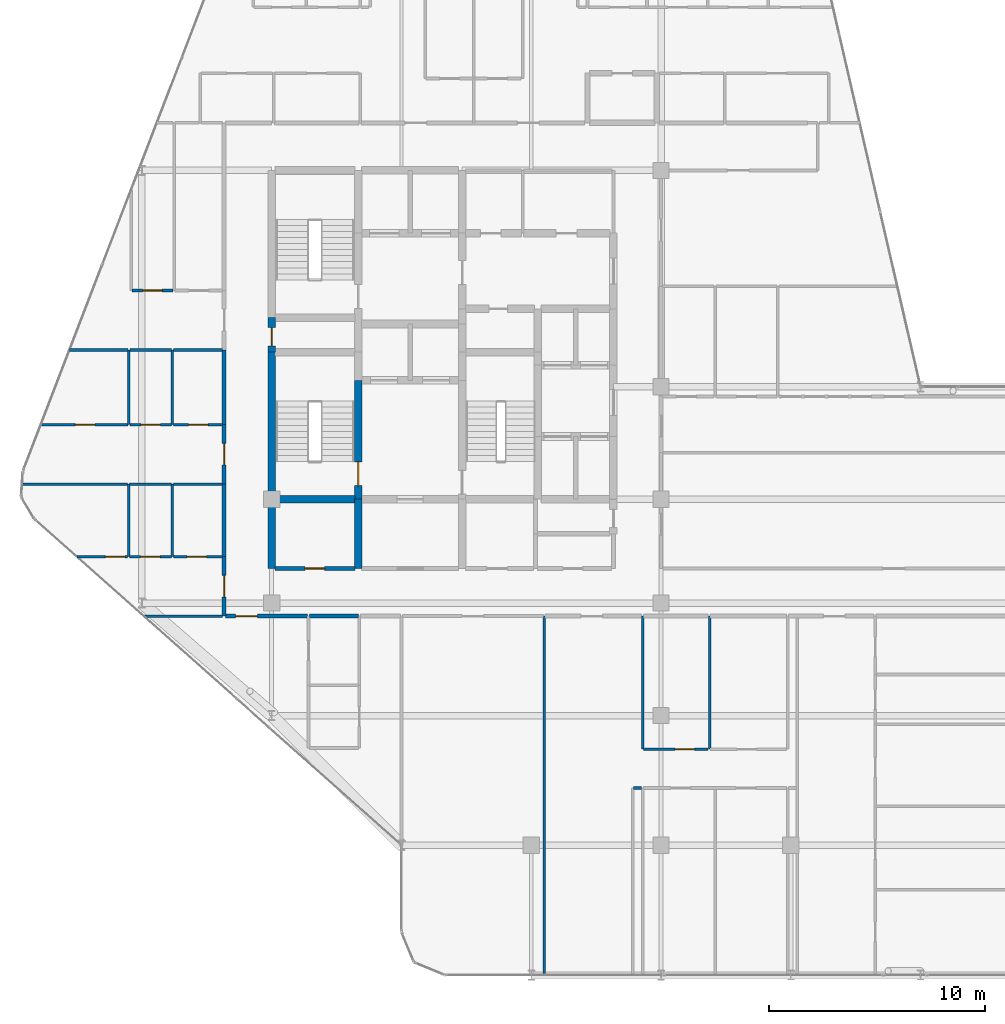
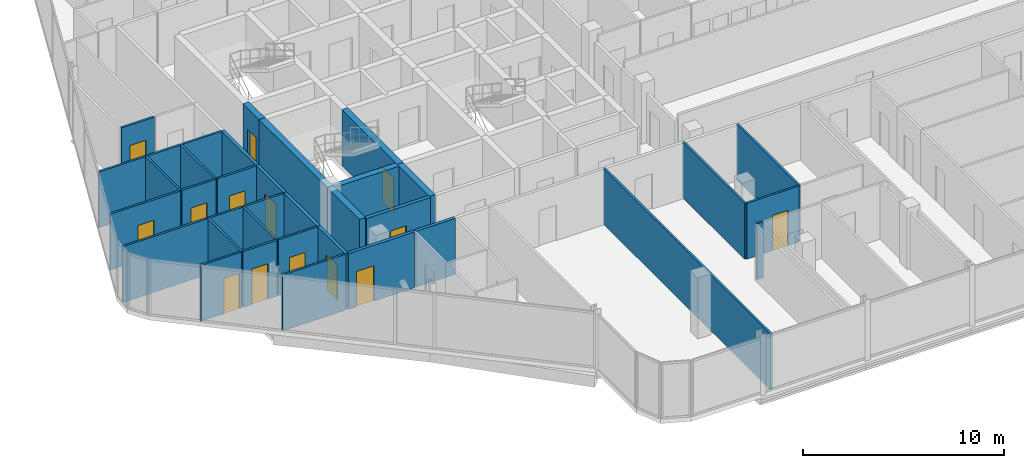
# One storey, part 23 of 29: 36 walls, 14 doors, 14 openings.
"""IFC4 building model written with IfcOpenShell, lengths in metres."""

from ifc_helpers import new_model, si_unit, direction, frame, frame_2d, origin, place, context, subcontext, project, spatial, rectangle, extrude, material, layer, layer_set, type_object, element, fill, save


model = new_model("IFC4")

# Units and contexts
model_context = context("Model", 3, precision=1e-05, world=origin(), true_north=direction((0.0, 1.0)))
body_context = subcontext(model_context, "Body", "Model", "MODEL_VIEW")
ifc_project = project(units=[si_unit("LENGTHUNIT", "METRE"), si_unit("AREAUNIT", "SQUARE_METRE"), si_unit("VOLUMEUNIT", "CUBIC_METRE"), si_unit("PLANEANGLEUNIT", "RADIAN"), si_unit("MASSUNIT", "GRAM", prefix="KILO")], contexts=[model_context])

# Site, building, storey
site_placement = place(None, origin())
site = spatial("IfcSite", under=ifc_project, at=site_placement, CompositionType="ELEMENT")
building_placement = place(site_placement, origin())
building = spatial("IfcBuilding", under=site, at=building_placement, Name="Keshet Zoharim Tower", CompositionType="ELEMENT")
storey_placement = place(building_placement, frame((0.0, 0.0, 206.89990234375)))
storey = spatial("IfcBuildingStorey", under=building, at=storey_placement, Name="L51", CompositionType="ELEMENT", Elevation=206.89990234375)

# Walls
ifc_material_1 = material(Name="Concrete C60/75", Category="concrete")
ifc_layer_1 = layer(ifc_material_1, 0.35009765625)
ifc_layer_set_1 = layer_set([ifc_layer_1], Name="Concrete C60/75")
wall_type_1 = type_object("IfcWallType", Name="WL-CORE-350", PredefinedType="SHEAR", material=ifc_layer_set_1)
wall_1_placement = place(storey_placement, frame((15.0, 19.5, 0.0), z_axis=(0.0, 0.0, 1.0), x_axis=(0.0, 1.0, 0.0)))
element("IfcWall", 1, at=wall_1_placement, inside=storey, type_object=wall_type_1, Name="L51 Core Shear Wall 015", PredefinedType="SHEAR", context=body_context, shape_type="SweptSolid", body=[
    extrude(rectangle(XDim=3.199951171875, YDim=0.35009765625, at=frame_2d((1.60009765625, 0.0))), origin(), (0.0, 0.0, 1.0), 3.39013671875),
])
wall_2_placement = place(storey_placement, frame((15.0, 22.699951171875, 0.0), z_axis=(0.0, 0.0, 1.0), x_axis=(0.0, 1.0, 0.0)))
element("IfcWall", 2, at=wall_2_placement, inside=storey, type_object=wall_type_1, Name="L51 Core Shear Wall 016", PredefinedType="SHEAR", context=body_context, shape_type="SweptSolid", body=[
    extrude(rectangle(XDim=6.800048828125, YDim=0.35009765625, at=frame_2d((3.39990234375, 0.0))), origin(), (0.0, 0.0, 1.0), 3.39013671875),
])

# Wall, opening, door
wall_3_placement = place(storey_placement, frame((15.0, 29.5, 0.0), z_axis=(0.0, 0.0, 1.0), x_axis=(0.0, 1.0, 0.0)))
wall_3 = element("IfcWall", 3, at=wall_3_placement, inside=storey, type_object=wall_type_1, Name="L51 Core Shear Wall 017", PredefinedType="SHEAR", context=body_context, shape_type="SweptSolid", body=[
    extrude(rectangle(XDim=1.60009765625, YDim=0.35009765625, at=frame_2d((0.800048828125, 0.0))), origin(), (0.0, 0.0, 1.0), 3.39013671875),
])
opening_1_placement = place(wall_3_placement, frame((0.287109375, 0.0, 0.0)))
opening_1 = element("IfcOpeningElement", 4, at=opening_1_placement, cuts=wall_3, Name="Opening D-RS85", PredefinedType="OPENING", context=body_context, shape_type="SweptSolid", body=[
    extrude(rectangle(XDim=0.85009765625, YDim=2.10009765625, at=frame_2d((0.425048828125, 1.050048828125))), frame((0.0, 0.18505859375, 0.0), z_axis=(0.0, -1.0, 0.0), x_axis=(1.0, 0.0, 0.0)), (0.0, 0.0, 1.0), 0.3701171875),
])
ifc_material_2 = material(Name="Hardwood Timber", Category="wood")
door_type_1 = type_object("IfcDoorType", Name="DR-RIS-085", OperationType="NOTDEFINED", PredefinedType="DOOR", material=ifc_material_2)
door_1_placement = place(opening_1_placement, origin())
door_1 = element("IfcDoor", 5, at=door_1_placement, inside=storey, type_object=door_type_1, Name="L51 Electrical Riser Access Cupboard Door", OperationType="SINGLE_SWING_RIGHT", OverallHeight=2.10009765625, OverallWidth=0.85009765625, PredefinedType="DOOR", context=body_context, shape_type="SweptSolid", body=[
    extrude(rectangle(XDim=0.85009765625, YDim=2.10009765625, at=frame_2d((0.425048828125, 1.050048828125))), frame((0.0, 0.02490234375, 0.0), z_axis=(0.0, -1.0, 0.0), x_axis=(1.0, 0.0, 0.0)), (0.0, 0.0, 1.0), 0.050048828125),
])
fill(opening_1, door_1)

# Wall
wall_4_placement = place(storey_placement, frame((19.0, 19.5, 0.0), z_axis=(0.0, 0.0, 1.0), x_axis=(0.0, 1.0, 0.0)))
element("IfcWall", 6, at=wall_4_placement, inside=storey, type_object=wall_type_1, Name="L51 Core Shear Wall 023", PredefinedType="SHEAR", context=body_context, shape_type="SweptSolid", body=[
    extrude(rectangle(XDim=3.199951171875, YDim=0.35009765625, at=frame_2d((1.60009765625, 0.0))), origin(), (0.0, 0.0, 1.0), 3.39013671875),
])

# Wall, opening, door
wall_5_placement = place(storey_placement, frame((19.0, 22.699951171875, 0.0), z_axis=(0.0, 0.0, 1.0), x_axis=(0.0, 1.0, 0.0)))
wall_5 = element("IfcWall", 7, at=wall_5_placement, inside=storey, type_object=wall_type_1, Name="L51 Core Shear Wall 024", PredefinedType="SHEAR", context=body_context, shape_type="SweptSolid", body=[
    extrude(rectangle(XDim=5.5, YDim=0.35009765625, at=frame_2d((2.75, 0.0))), origin(), (0.0, 0.0, 1.0), 3.39013671875),
])
opening_2_placement = place(wall_5_placement, frame((0.631103515625, 0.0, 0.0)))
opening_2 = element("IfcOpeningElement", 8, at=opening_2_placement, cuts=wall_5, Name="Opening D-F611", PredefinedType="OPENING", context=body_context, shape_type="SweptSolid", body=[
    extrude(rectangle(XDim=1.10009765625, YDim=2.14990234375, at=frame_2d((0.550048828125, 1.074951171875))), frame((0.0, 0.18505859375, 0.0), z_axis=(0.0, -1.0, 0.0), x_axis=(1.0, 0.0, 0.0)), (0.0, 0.0, 1.0), 0.3701171875),
])
door_type_2 = type_object("IfcDoorType", Name="DR-FD60-110", OperationType="NOTDEFINED", PredefinedType="DOOR", material=ifc_material_2)
door_2_placement = place(opening_2_placement, origin())
door_2 = element("IfcDoor", 9, at=door_2_placement, inside=storey, type_object=door_type_2, Name="L51 Exit Stair ST-01 Fire Door", OperationType="SINGLE_SWING_RIGHT", OverallHeight=2.14990234375, OverallWidth=1.10009765625, PredefinedType="DOOR", context=body_context, shape_type="SweptSolid", body=[
    extrude(rectangle(XDim=1.10009765625, YDim=2.14990234375, at=frame_2d((0.550048828125, 1.074951171875))), frame((0.0, 0.02490234375, 0.0), z_axis=(0.0, -1.0, 0.0), x_axis=(1.0, 0.0, 0.0)), (0.0, 0.0, 1.0), 0.050048828125),
])
fill(opening_2, door_2)

# Wall
wall_6_placement = place(storey_placement, frame((15.159912109375, 22.699951171875, 0.0), z_axis=(0.0, 0.0, 1.0), x_axis=(1.0, 0.0, 0.0)))
element("IfcWall", 10, at=wall_6_placement, inside=storey, type_object=wall_type_1, Name="L51 Core Shear Wall 134", PredefinedType="SHEAR", context=body_context, shape_type="SweptSolid", body=[
    extrude(rectangle(XDim=3.68017578125, YDim=0.35009765625, at=frame_2d((1.840087890625, 0.0))), origin(), (0.0, 0.0, 1.0), 3.39013671875),
])

# Wall, opening, door
ifc_material_3 = material(Name="Gypsum Plasterboard", Category="gypsum")
ifc_layer_2 = layer(ifc_material_3, 0.179931640625)
ifc_layer_set_2 = layer_set([ifc_layer_2], Name="Gypsum Plasterboard")
wall_type_2 = type_object("IfcWallType", Name="WL-CORR-180", PredefinedType="STANDARD", material=ifc_layer_set_2)
wall_7_placement = place(storey_placement, frame((12.800048828125, 17.300048828125, 0.0), z_axis=(0.0, 0.0, 1.0), x_axis=(0.0, 1.0, 0.0)))
wall_7 = element("IfcWall", 11, at=wall_7_placement, inside=storey, type_object=wall_type_2, Name="L51 Interior Wall 008", PredefinedType="STANDARD", context=body_context, shape_type="SweptSolid", body=[
    extrude(rectangle(XDim=2.75, YDim=0.179931640625, at=frame_2d((1.375, 0.0))), origin(), (0.0, 0.0, 1.0), 3.39013671875),
])
opening_3_placement = place(wall_7_placement, frame((0.875, 0.0, 0.0)))
opening_3 = element("IfcOpeningElement", 12, at=opening_3_placement, cuts=wall_7, Name="Opening D-F310", PredefinedType="OPENING", context=body_context, shape_type="SweptSolid", body=[
    extrude(rectangle(XDim=1.0, YDim=2.14990234375, at=frame_2d((0.5, 1.074951171875))), frame((0.0, 0.10009765625, 0.0), z_axis=(0.0, -1.0, 0.0), x_axis=(1.0, 0.0, 0.0)), (0.0, 0.0, 1.0), 0.199951171875),
])
door_type_3 = type_object("IfcDoorType", Name="DR-FD30-100", OperationType="NOTDEFINED", PredefinedType="DOOR", material=ifc_material_2)
door_3_placement = place(opening_3_placement, origin())
door_3 = element("IfcDoor", 13, at=door_3_placement, inside=storey, type_object=door_type_3, Name="Apartment 5107 Entrance Door", OperationType="SINGLE_SWING_LEFT", OverallHeight=2.14990234375, OverallWidth=1.0, PredefinedType="DOOR", context=body_context, shape_type="SweptSolid", body=[
    extrude(rectangle(XDim=1.0, YDim=2.14990234375, at=frame_2d((0.5, 1.074951171875))), frame((0.0, 0.02490234375, 0.0), z_axis=(0.0, -1.0, 0.0), x_axis=(1.0, 0.0, 0.0)), (0.0, 0.0, 1.0), 0.050048828125),
])
fill(opening_3, door_3)

# Wall
wall_8_placement = place(storey_placement, frame((12.800048828125, 20.050048828125, 0.0), z_axis=(0.0, 0.0, 1.0), x_axis=(0.0, 1.0, 0.0)))
element("IfcWall", 14, at=wall_8_placement, inside=storey, type_object=wall_type_2, Name="L51 Interior Wall 009", PredefinedType="STANDARD", context=body_context, shape_type="SweptSolid", body=[
    extrude(rectangle(XDim=3.35986328125, YDim=0.179931640625, at=frame_2d((1.679931640625, 0.0))), origin(), (0.0, 0.0, 1.0), 3.39013671875),
])

# Wall, opening, door
wall_9_placement = place(storey_placement, frame((12.800048828125, 23.409912109375, 0.0), z_axis=(0.0, 0.0, 1.0), x_axis=(0.0, 1.0, 0.0)))
wall_9 = element("IfcWall", 15, at=wall_9_placement, inside=storey, type_object=wall_type_2, Name="L51 Interior Wall 010", PredefinedType="STANDARD", context=body_context, shape_type="SweptSolid", body=[
    extrude(rectangle(XDim=2.75, YDim=0.179931640625, at=frame_2d((1.375, 0.0))), origin(), (0.0, 0.0, 1.0), 3.39013671875),
])
opening_4_placement = place(wall_9_placement, frame((0.875, 0.0, 0.0)))
opening_4 = element("IfcOpeningElement", 16, at=opening_4_placement, cuts=wall_9, Name="Opening D-F310", PredefinedType="OPENING", context=body_context, shape_type="SweptSolid", body=[
    extrude(rectangle(XDim=1.0, YDim=2.14990234375, at=frame_2d((0.5, 1.074951171875))), frame((0.0, 0.10009765625, 0.0), z_axis=(0.0, -1.0, 0.0), x_axis=(1.0, 0.0, 0.0)), (0.0, 0.0, 1.0), 0.199951171875),
])
door_4_placement = place(opening_4_placement, origin())
door_4 = element("IfcDoor", 17, at=door_4_placement, inside=storey, type_object=door_type_3, Name="Apartment 5108 Entrance Door", OperationType="SINGLE_SWING_RIGHT", OverallHeight=2.14990234375, OverallWidth=1.0, PredefinedType="DOOR", context=body_context, shape_type="SweptSolid", body=[
    extrude(rectangle(XDim=1.0, YDim=2.14990234375, at=frame_2d((0.5, 1.074951171875))), frame((0.0, 0.02490234375, 0.0), z_axis=(0.0, -1.0, 0.0), x_axis=(1.0, 0.0, 0.0)), (0.0, 0.0, 1.0), 0.050048828125),
])
fill(opening_4, door_4)

# Wall
wall_10_placement = place(storey_placement, frame((12.800048828125, 26.159912109375, 0.0), z_axis=(0.0, 0.0, 1.0), x_axis=(0.0, 1.0, 0.0)))
element("IfcWall", 18, at=wall_10_placement, inside=storey, type_object=wall_type_2, Name="L51 Interior Wall 011", PredefinedType="STANDARD", context=body_context, shape_type="SweptSolid", body=[
    extrude(rectangle(XDim=3.4501953125, YDim=0.179931640625, at=frame_2d((1.72509765625, 0.0))), origin(), (0.0, 0.0, 1.0), 3.39013671875),
])

# Wall, opening, door
wall_11_placement = place(storey_placement, frame((12.875, 17.300048828125, 0.0), z_axis=(0.0, 0.0, 1.0), x_axis=(1.0, 0.0, 0.0)))
wall_11 = element("IfcWall", 19, at=wall_11_placement, inside=storey, type_object=wall_type_2, Name="L51 Interior Wall 113", PredefinedType="STANDARD", context=body_context, shape_type="SweptSolid", body=[
    extrude(rectangle(XDim=3.780029296875, YDim=0.179931640625, at=frame_2d((1.89013671875, 0.0))), origin(), (0.0, 0.0, 1.0), 3.39013671875),
])
opening_5_placement = place(wall_11_placement, frame((0.4580078125, 0.0, 0.0)))
opening_5 = element("IfcOpeningElement", 20, at=opening_5_placement, cuts=wall_11, Name="Opening D-F310", PredefinedType="OPENING", context=body_context, shape_type="SweptSolid", body=[
    extrude(rectangle(XDim=1.0, YDim=2.14990234375, at=frame_2d((0.5, 1.074951171875))), frame((0.0, 0.10009765625, 0.0), z_axis=(0.0, -1.0, 0.0), x_axis=(1.0, 0.0, 0.0)), (0.0, 0.0, 1.0), 0.199951171875),
])
door_5_placement = place(opening_5_placement, origin())
door_5 = element("IfcDoor", 21, at=door_5_placement, inside=storey, type_object=door_type_3, Name="Apartment 5101 Entrance Door", OperationType="SINGLE_SWING_RIGHT", OverallHeight=2.14990234375, OverallWidth=1.0, PredefinedType="DOOR", context=body_context, shape_type="SweptSolid", body=[
    extrude(rectangle(XDim=1.0, YDim=2.14990234375, at=frame_2d((0.5, 1.074951171875))), frame((0.0, 0.02490234375, 0.0), z_axis=(0.0, -1.0, 0.0), x_axis=(1.0, 0.0, 0.0)), (0.0, 0.0, 1.0), 0.050048828125),
])
fill(opening_5, door_5)

# Wall
wall_12_placement = place(storey_placement, frame((16.7451171875, 17.300048828125, 0.0), z_axis=(0.0, 0.0, 1.0), x_axis=(1.0, 0.0, 0.0)))
element("IfcWall", 22, at=wall_12_placement, inside=storey, type_object=wall_type_2, Name="L51 Interior Wall 114", PredefinedType="STANDARD", context=body_context, shape_type="SweptSolid", body=[
    extrude(rectangle(XDim=2.259765625, YDim=0.179931640625, at=frame_2d((1.1298828125, 0.0))), origin(), (0.0, 0.0, 1.0), 3.39013671875),
])

# Wall, opening, door
ifc_material_4 = material(Name="Concrete C50/60", Category="concrete")
ifc_layer_3 = layer(ifc_material_4, 0.199951171875)
ifc_layer_set_3 = layer_set([ifc_layer_3], Name="Concrete C50/60")
wall_type_3 = type_object("IfcWallType", Name="WL-FIRE-200", PredefinedType="STANDARD", material=ifc_layer_set_3)
wall_13_placement = place(storey_placement, frame((15.159912109375, 19.5, 0.0), z_axis=(0.0, 0.0, 1.0), x_axis=(1.0, 0.0, 0.0)))
wall_13 = element("IfcWall", 23, at=wall_13_placement, inside=storey, type_object=wall_type_3, Name="L51 Interior Wall 125", PredefinedType="STANDARD", context=body_context, shape_type="SweptSolid", body=[
    extrude(rectangle(XDim=3.68017578125, YDim=0.199951171875, at=frame_2d((1.840087890625, 0.0))), origin(), (0.0, 0.0, 1.0), 3.39013671875),
])
opening_6_placement = place(wall_13_placement, frame((1.389892578125, 0.0, 0.0)))
opening_6 = element("IfcOpeningElement", 24, at=opening_6_placement, cuts=wall_13, Name="Opening D-F690", PredefinedType="OPENING", context=body_context, shape_type="SweptSolid", body=[
    extrude(rectangle(XDim=0.89990234375, YDim=2.14990234375, at=frame_2d((0.449951171875, 1.074951171875))), frame((0.0, 0.10986328125, 0.0), z_axis=(0.0, -1.0, 0.0), x_axis=(1.0, 0.0, 0.0)), (0.0, 0.0, 1.0), 0.219970703125),
])
door_type_4 = type_object("IfcDoorType", Name="DR-FD60-090", OperationType="NOTDEFINED", PredefinedType="DOOR", material=ifc_material_2)
door_6_placement = place(opening_6_placement, origin())
door_6 = element("IfcDoor", 25, at=door_6_placement, inside=storey, type_object=door_type_4, Name="L51 Refuse Store Door", OperationType="SINGLE_SWING_LEFT", OverallHeight=2.14990234375, OverallWidth=0.89990234375, PredefinedType="DOOR", context=body_context, shape_type="SweptSolid", body=[
    extrude(rectangle(XDim=0.89990234375, YDim=2.14990234375, at=frame_2d((0.449951171875, 1.074951171875))), frame((0.0, 0.02490234375, 0.0), z_axis=(0.0, -1.0, 0.0), x_axis=(1.0, 0.0, 0.0)), (0.0, 0.0, 1.0), 0.050048828125),
])
fill(opening_6, door_6)

# Walls
ifc_layer_4 = layer(ifc_material_3, 0.1201171875)
ifc_layer_set_4 = layer_set([ifc_layer_4], Name="Gypsum Plasterboard")
wall_type_4 = type_object("IfcWallType", Name="WL-PART-120", PredefinedType="PARTITIONING", material=ifc_layer_set_4)
wall_14_placement = place(storey_placement, frame((8.39990234375, 20.050048828125, 0.0), z_axis=(0.0, 0.0, 1.0), x_axis=(0.0, 1.0, 0.0)))
element("IfcWall", 26, at=wall_14_placement, inside=storey, type_object=wall_type_4, Name="L51 Interior Wall 001", PredefinedType="PARTITIONING", context=body_context, shape_type="SweptSolid", body=[
    extrude(rectangle(XDim=3.35986328125, YDim=0.1201171875, at=frame_2d((1.679931640625, 0.0))), origin(), (0.0, 0.0, 1.0), 3.39013671875),
])
wall_15_placement = place(storey_placement, frame((8.39990234375, 26.159912109375, 0.0), z_axis=(0.0, 0.0, 1.0), x_axis=(0.0, 1.0, 0.0)))
element("IfcWall", 27, at=wall_15_placement, inside=storey, type_object=wall_type_4, Name="L51 Interior Wall 002", PredefinedType="PARTITIONING", context=body_context, shape_type="SweptSolid", body=[
    extrude(rectangle(XDim=3.4501953125, YDim=0.1201171875, at=frame_2d((1.72509765625, 0.0))), origin(), (0.0, 0.0, 1.0), 3.39013671875),
])
wall_16_placement = place(storey_placement, frame((27.60009765625, 0.7099609375, 0.0), z_axis=(0.0, 0.0, 1.0), x_axis=(0.0, 1.0, 0.0)))
element("IfcWall", 28, at=wall_16_placement, inside=storey, type_object=wall_type_4, Name="L51 Interior Wall 054", PredefinedType="PARTITIONING", context=body_context, shape_type="SweptSolid", body=[
    extrude(rectangle(XDim=16.590087890625, YDim=0.1201171875, at=frame_2d((8.294921875, 0.0))), origin(), (0.0, 0.0, 1.0), 3.39013671875),
])
wall_17_placement = place(storey_placement, frame((32.14990234375, 11.14990234375, 0.0), z_axis=(0.0, 0.0, 1.0), x_axis=(0.0, 1.0, 0.0)))
element("IfcWall", 29, at=wall_17_placement, inside=storey, type_object=wall_type_4, Name="L51 Interior Wall 069", PredefinedType="PARTITIONING", context=body_context, shape_type="SweptSolid", body=[
    extrude(rectangle(XDim=6.150146484375, YDim=0.1201171875, at=frame_2d((3.0751953125, 0.0))), origin(), (0.0, 0.0, 1.0), 3.39013671875),
])
wall_18_placement = place(storey_placement, frame((31.735107421875, 9.35009765625, 0.0), z_axis=(0.0, 0.0, 1.0), x_axis=(1.0, 0.0, 0.0)))
element("IfcWall", 30, at=wall_18_placement, inside=storey, type_object=wall_type_4, Name="L51 Interior Wall 101", PredefinedType="PARTITIONING", context=body_context, shape_type="SweptSolid", body=[
    extrude(rectangle(XDim=0.35986328125, YDim=0.1201171875, at=frame_2d((0.179931640625, 0.0))), origin(), (0.0, 0.0, 1.0), 3.39013671875),
])

# Wall, opening, door
wall_19_placement = place(storey_placement, frame((32.18505859375, 11.14990234375, 0.0), z_axis=(0.0, 0.0, 1.0), x_axis=(1.0, 0.0, 0.0)))
wall_19 = element("IfcWall", 31, at=wall_19_placement, inside=storey, type_object=wall_type_4, Name="L51 Interior Wall 104", PredefinedType="PARTITIONING", context=body_context, shape_type="SweptSolid", body=[
    extrude(rectangle(XDim=2.996826171875, YDim=0.1201171875, at=frame_2d((1.49853515625, 0.0))), origin(), (0.0, 0.0, 1.0), 3.39013671875),
])
opening_7_placement = place(wall_19_placement, frame((1.469970703125, 0.0, 0.0)))
opening_7 = element("IfcOpeningElement", 32, at=opening_7_placement, cuts=wall_19, Name="Opening D-IN90", PredefinedType="OPENING", context=body_context, shape_type="SweptSolid", body=[
    extrude(rectangle(XDim=0.89990234375, YDim=2.14990234375, at=frame_2d((0.449951171875, 1.074951171875))), frame((0.0, 0.070068359375, 0.0), z_axis=(0.0, -1.0, 0.0), x_axis=(1.0, 0.0, 0.0)), (0.0, 0.0, 1.0), 0.14013671875),
])
door_type_5 = type_object("IfcDoorType", Name="DR-INT-090", OperationType="NOTDEFINED", PredefinedType="DOOR", material=ifc_material_2)
door_7_placement = place(opening_7_placement, origin())
door_7 = element("IfcDoor", 33, at=door_7_placement, inside=storey, type_object=door_type_5, Name="Apartment 5102 Kitchen Door", OperationType="SINGLE_SWING_RIGHT", OverallHeight=2.14990234375, OverallWidth=0.89990234375, PredefinedType="DOOR", context=body_context, shape_type="SweptSolid", body=[
    extrude(rectangle(XDim=0.89990234375, YDim=2.14990234375, at=frame_2d((0.449951171875, 1.074951171875))), frame((0.0, 0.02490234375, 0.0), z_axis=(0.0, -1.0, 0.0), x_axis=(1.0, 0.0, 0.0)), (0.0, 0.0, 1.0), 0.050048828125),
])
fill(opening_7, door_7)

# Wall
wall_20_placement = place(storey_placement, frame((9.0849609375, 17.300048828125, 0.0), z_axis=(0.0, 0.0, 1.0), x_axis=(1.0, 0.0, 0.0)))
element("IfcWall", 34, at=wall_20_placement, inside=storey, type_object=wall_type_4, Name="L51 Interior Wall 112", PredefinedType="PARTITIONING", context=body_context, shape_type="SweptSolid", body=[
    extrude(rectangle(XDim=3.64013671875, YDim=0.1201171875, at=frame_2d((1.820068359375, 0.0))), origin(), (0.0, 0.0, 1.0), 3.39013671875),
])

# Wall, opening, door
wall_21_placement = place(storey_placement, frame((5.990966796875, 20.050048828125, 0.0), z_axis=(0.0, 0.0, 1.0), x_axis=(1.0, 0.0, 0.0)))
wall_21 = element("IfcWall", 35, at=wall_21_placement, inside=storey, type_object=wall_type_4, Name="L51 Interior Wall 130", PredefinedType="PARTITIONING", context=body_context, shape_type="SweptSolid", body=[
    extrude(rectangle(XDim=2.340087890625, YDim=0.1201171875, at=frame_2d((1.169921875, 0.0))), origin(), (0.0, 0.0, 1.0), 3.39013671875),
])
opening_8_placement = place(wall_21_placement, frame((1.320068359375, 0.0, 0.0)))
opening_8 = element("IfcOpeningElement", 36, at=opening_8_placement, cuts=wall_21, Name="Opening D-IN90", PredefinedType="OPENING", context=body_context, shape_type="SweptSolid", body=[
    extrude(rectangle(XDim=0.89990234375, YDim=2.14990234375, at=frame_2d((0.449951171875, 1.074951171875))), frame((0.0, 0.070068359375, 0.0), z_axis=(0.0, -1.0, 0.0), x_axis=(1.0, 0.0, 0.0)), (0.0, 0.0, 1.0), 0.14013671875),
])
door_8_placement = place(opening_8_placement, origin())
door_8 = element("IfcDoor", 37, at=door_8_placement, inside=storey, type_object=door_type_5, Name="Apartment 5107 Bedroom 1 Door", OperationType="SINGLE_SWING_RIGHT", OverallHeight=2.14990234375, OverallWidth=0.89990234375, PredefinedType="DOOR", context=body_context, shape_type="SweptSolid", body=[
    extrude(rectangle(XDim=0.89990234375, YDim=2.14990234375, at=frame_2d((0.449951171875, 1.074951171875))), frame((0.0, 0.02490234375, 0.0), z_axis=(0.0, -1.0, 0.0), x_axis=(1.0, 0.0, 0.0)), (0.0, 0.0, 1.0), 0.050048828125),
])
fill(opening_8, door_8)

wall_22_placement = place(storey_placement, frame((8.4208984375, 20.050048828125, 0.0), z_axis=(0.0, 0.0, 1.0), x_axis=(1.0, 0.0, 0.0)))
wall_22 = element("IfcWall", 38, at=wall_22_placement, inside=storey, type_object=wall_type_4, Name="L51 Interior Wall 131", PredefinedType="PARTITIONING", context=body_context, shape_type="SweptSolid", body=[
    extrude(rectangle(XDim=1.945068359375, YDim=0.1201171875, at=frame_2d((0.97265625, 0.0))), origin(), (0.0, 0.0, 1.0), 3.39013671875),
])
opening_9_placement = place(wall_22_placement, frame((0.52197265625, 0.0, 0.0)))
opening_9 = element("IfcOpeningElement", 39, at=opening_9_placement, cuts=wall_22, Name="Opening D-IN90", PredefinedType="OPENING", context=body_context, shape_type="SweptSolid", body=[
    extrude(rectangle(XDim=0.89990234375, YDim=2.14990234375, at=frame_2d((0.449951171875, 1.074951171875))), frame((0.0, 0.070068359375, 0.0), z_axis=(0.0, -1.0, 0.0), x_axis=(1.0, 0.0, 0.0)), (0.0, 0.0, 1.0), 0.14013671875),
])
door_9_placement = place(opening_9_placement, origin())
door_9 = element("IfcDoor", 40, at=door_9_placement, inside=storey, type_object=door_type_5, Name="Apartment 5107 Kitchen Door", OperationType="SINGLE_SWING_LEFT", OverallHeight=2.14990234375, OverallWidth=0.89990234375, PredefinedType="DOOR", context=body_context, shape_type="SweptSolid", body=[
    extrude(rectangle(XDim=0.89990234375, YDim=2.14990234375, at=frame_2d((0.449951171875, 1.074951171875))), frame((0.0, 0.02490234375, 0.0), z_axis=(0.0, -1.0, 0.0), x_axis=(1.0, 0.0, 0.0)), (0.0, 0.0, 1.0), 0.050048828125),
])
fill(opening_9, door_9)

# Walls
wall_23_placement = place(storey_placement, frame((3.468994140625, 23.39990234375, 0.0), z_axis=(0.0, 0.0, 1.0), x_axis=(1.0, 0.0, 0.0)))
element("IfcWall", 41, at=wall_23_placement, inside=storey, type_object=wall_type_4, Name="L51 Interior Wall 138", PredefinedType="PARTITIONING", context=body_context, shape_type="SweptSolid", body=[
    extrude(rectangle(XDim=4.862060546875, YDim=0.1201171875, at=frame_2d((2.43115234375, 0.0))), origin(), (0.0, 0.0, 1.0), 3.39013671875),
])
wall_24_placement = place(storey_placement, frame((8.4208984375, 23.39990234375, 0.0), z_axis=(0.0, 0.0, 1.0), x_axis=(1.0, 0.0, 0.0)))
element("IfcWall", 42, at=wall_24_placement, inside=storey, type_object=wall_type_4, Name="L51 Interior Wall 139", PredefinedType="PARTITIONING", context=body_context, shape_type="SweptSolid", body=[
    extrude(rectangle(XDim=1.945068359375, YDim=0.1201171875, at=frame_2d((0.97265625, 0.0))), origin(), (0.0, 0.0, 1.0), 3.39013671875),
])

# Wall, opening, door
wall_25_placement = place(storey_placement, frame((4.3369140625, 26.14990234375, 0.0), z_axis=(0.0, 0.0, 1.0), x_axis=(1.0, 0.0, 0.0)))
wall_25 = element("IfcWall", 43, at=wall_25_placement, inside=storey, type_object=wall_type_4, Name="L51 Interior Wall 143", PredefinedType="PARTITIONING", context=body_context, shape_type="SweptSolid", body=[
    extrude(rectangle(XDim=4.01220703125, YDim=0.1201171875, at=frame_2d((2.006103515625, 0.0))), origin(), (0.0, 0.0, 1.0), 3.39013671875),
])
opening_10_placement = place(wall_25_placement, frame((1.5859375, 0.0, 0.0)))
opening_10 = element("IfcOpeningElement", 44, at=opening_10_placement, cuts=wall_25, Name="Opening D-IN90", PredefinedType="OPENING", context=body_context, shape_type="SweptSolid", body=[
    extrude(rectangle(XDim=0.89990234375, YDim=2.14990234375, at=frame_2d((0.449951171875, 1.074951171875))), frame((0.0, 0.070068359375, 0.0), z_axis=(0.0, -1.0, 0.0), x_axis=(1.0, 0.0, 0.0)), (0.0, 0.0, 1.0), 0.14013671875),
])
door_10_placement = place(opening_10_placement, origin())
door_10 = element("IfcDoor", 45, at=door_10_placement, inside=storey, type_object=door_type_5, Name="Apartment 5108 Bedroom 1 Door", OperationType="SINGLE_SWING_RIGHT", OverallHeight=2.14990234375, OverallWidth=0.89990234375, PredefinedType="DOOR", context=body_context, shape_type="SweptSolid", body=[
    extrude(rectangle(XDim=0.89990234375, YDim=2.14990234375, at=frame_2d((0.449951171875, 1.074951171875))), frame((0.0, 0.02490234375, 0.0), z_axis=(0.0, -1.0, 0.0), x_axis=(1.0, 0.0, 0.0)), (0.0, 0.0, 1.0), 0.050048828125),
])
fill(opening_10, door_10)

wall_26_placement = place(storey_placement, frame((8.43896484375, 26.14990234375, 0.0), z_axis=(0.0, 0.0, 1.0), x_axis=(1.0, 0.0, 0.0)))
wall_26 = element("IfcWall", 46, at=wall_26_placement, inside=storey, type_object=wall_type_4, Name="L51 Interior Wall 144", PredefinedType="PARTITIONING", context=body_context, shape_type="SweptSolid", body=[
    extrude(rectangle(XDim=1.93701171875, YDim=0.1201171875, at=frame_2d((0.968505859375, 0.0))), origin(), (0.0, 0.0, 1.0), 3.39013671875),
])
opening_11_placement = place(wall_26_placement, frame((0.51806640625, 0.0, 0.0)))
opening_11 = element("IfcOpeningElement", 47, at=opening_11_placement, cuts=wall_26, Name="Opening D-IN90", PredefinedType="OPENING", context=body_context, shape_type="SweptSolid", body=[
    extrude(rectangle(XDim=0.89990234375, YDim=2.14990234375, at=frame_2d((0.449951171875, 1.074951171875))), frame((0.0, 0.070068359375, 0.0), z_axis=(0.0, -1.0, 0.0), x_axis=(1.0, 0.0, 0.0)), (0.0, 0.0, 1.0), 0.14013671875),
])
door_11_placement = place(opening_11_placement, origin())
door_11 = element("IfcDoor", 48, at=door_11_placement, inside=storey, type_object=door_type_5, Name="Apartment 5108 Kitchen Door", OperationType="SINGLE_SWING_LEFT", OverallHeight=2.14990234375, OverallWidth=0.89990234375, PredefinedType="DOOR", context=body_context, shape_type="SweptSolid", body=[
    extrude(rectangle(XDim=0.89990234375, YDim=2.14990234375, at=frame_2d((0.449951171875, 1.074951171875))), frame((0.0, 0.02490234375, 0.0), z_axis=(0.0, -1.0, 0.0), x_axis=(1.0, 0.0, 0.0)), (0.0, 0.0, 1.0), 0.050048828125),
])
fill(opening_11, door_11)

# Walls
wall_27_placement = place(storey_placement, frame((5.6640625, 29.60009765625, 0.0), z_axis=(0.0, 0.0, 1.0), x_axis=(1.0, 0.0, 0.0)))
element("IfcWall", 49, at=wall_27_placement, inside=storey, type_object=wall_type_4, Name="L51 Interior Wall 153", PredefinedType="PARTITIONING", context=body_context, shape_type="SweptSolid", body=[
    extrude(rectangle(XDim=2.68505859375, YDim=0.1201171875, at=frame_2d((1.342529296875, 0.0))), origin(), (0.0, 0.0, 1.0), 3.39013671875),
])
wall_28_placement = place(storey_placement, frame((8.43896484375, 29.60009765625, 0.0), z_axis=(0.0, 0.0, 1.0), x_axis=(1.0, 0.0, 0.0)))
element("IfcWall", 50, at=wall_28_placement, inside=storey, type_object=wall_type_4, Name="L51 Interior Wall 154", PredefinedType="PARTITIONING", context=body_context, shape_type="SweptSolid", body=[
    extrude(rectangle(XDim=1.93701171875, YDim=0.1201171875, at=frame_2d((0.968505859375, 0.0))), origin(), (0.0, 0.0, 1.0), 3.39013671875),
])

# Wall, opening, door
wall_29_placement = place(storey_placement, frame((8.544921875, 32.35009765625, 0.0), z_axis=(0.0, 0.0, 1.0), x_axis=(1.0, 0.0, 0.0)))
wall_29 = element("IfcWall", 51, at=wall_29_placement, inside=storey, type_object=wall_type_4, Name="L51 Interior Wall 160", PredefinedType="PARTITIONING", context=body_context, shape_type="SweptSolid", body=[
    extrude(rectangle(XDim=1.88818359375, YDim=0.1201171875, at=frame_2d((0.944091796875, 0.0))), origin(), (0.0, 0.0, 1.0), 3.39013671875),
])
opening_12_placement = place(wall_29_placement, frame((0.493896484375, 0.0, 0.0)))
opening_12 = element("IfcOpeningElement", 52, at=opening_12_placement, cuts=wall_29, Name="Opening D-IN90", PredefinedType="OPENING", context=body_context, shape_type="SweptSolid", body=[
    extrude(rectangle(XDim=0.89990234375, YDim=2.14990234375, at=frame_2d((0.449951171875, 1.074951171875))), frame((0.0, 0.070068359375, 0.0), z_axis=(0.0, -1.0, 0.0), x_axis=(1.0, 0.0, 0.0)), (0.0, 0.0, 1.0), 0.14013671875),
])
door_12_placement = place(opening_12_placement, origin())
door_12 = element("IfcDoor", 53, at=door_12_placement, inside=storey, type_object=door_type_5, Name="Apartment 5109 Kitchen Door", OperationType="SINGLE_SWING_LEFT", OverallHeight=2.14990234375, OverallWidth=0.89990234375, PredefinedType="DOOR", context=body_context, shape_type="SweptSolid", body=[
    extrude(rectangle(XDim=0.89990234375, YDim=2.14990234375, at=frame_2d((0.449951171875, 1.074951171875))), frame((0.0, 0.02490234375, 0.0), z_axis=(0.0, -1.0, 0.0), x_axis=(1.0, 0.0, 0.0)), (0.0, 0.0, 1.0), 0.050048828125),
])
fill(opening_12, door_12)

# Walls
ifc_layer_5 = layer(ifc_material_3, 0.1201171875)
ifc_layer_set_5 = layer_set([ifc_layer_5], Name="Gypsum Plasterboard")
wall_type_5 = type_object("IfcWallType", Name="WL-WET-120", PredefinedType="PARTITIONING", material=ifc_layer_set_5)
wall_30_placement = place(storey_placement, frame((10.39990234375, 20.050048828125, 0.0), z_axis=(0.0, 0.0, 1.0), x_axis=(0.0, 1.0, 0.0)))
element("IfcWall", 54, at=wall_30_placement, inside=storey, type_object=wall_type_5, Name="L51 Interior Wall 004", PredefinedType="PARTITIONING", context=body_context, shape_type="SweptSolid", body=[
    extrude(rectangle(XDim=3.35986328125, YDim=0.1201171875, at=frame_2d((1.679931640625, 0.0))), origin(), (0.0, 0.0, 1.0), 3.39013671875),
])
wall_31_placement = place(storey_placement, frame((10.39990234375, 26.159912109375, 0.0), z_axis=(0.0, 0.0, 1.0), x_axis=(0.0, 1.0, 0.0)))
element("IfcWall", 55, at=wall_31_placement, inside=storey, type_object=wall_type_5, Name="L51 Interior Wall 005", PredefinedType="PARTITIONING", context=body_context, shape_type="SweptSolid", body=[
    extrude(rectangle(XDim=3.4501953125, YDim=0.1201171875, at=frame_2d((1.72509765625, 0.0))), origin(), (0.0, 0.0, 1.0), 3.39013671875),
])
wall_32_placement = place(storey_placement, frame((35.25, 11.14990234375, 0.0), z_axis=(0.0, 0.0, 1.0), x_axis=(0.0, 1.0, 0.0)))
element("IfcWall", 56, at=wall_32_placement, inside=storey, type_object=wall_type_5, Name="L51 Interior Wall 077", PredefinedType="PARTITIONING", context=body_context, shape_type="SweptSolid", body=[
    extrude(rectangle(XDim=6.150146484375, YDim=0.1201171875, at=frame_2d((3.0751953125, 0.0))), origin(), (0.0, 0.0, 1.0), 3.39013671875),
])

# Wall, opening, door
wall_33_placement = place(storey_placement, frame((10.4560546875, 20.050048828125, 0.0), z_axis=(0.0, 0.0, 1.0), x_axis=(1.0, 0.0, 0.0)))
wall_33 = element("IfcWall", 57, at=wall_33_placement, inside=storey, type_object=wall_type_5, Name="L51 Interior Wall 132", PredefinedType="PARTITIONING", context=body_context, shape_type="SweptSolid", body=[
    extrude(rectangle(XDim=2.26904296875, YDim=0.1201171875, at=frame_2d((1.134521484375, 0.0))), origin(), (0.0, 0.0, 1.0), 3.39013671875),
])
opening_13_placement = place(wall_33_placement, frame((0.62890625, 0.0, 0.0)))
opening_13 = element("IfcOpeningElement", 58, at=opening_13_placement, cuts=wall_33, Name="Opening D-WT90", PredefinedType="OPENING", context=body_context, shape_type="SweptSolid", body=[
    extrude(rectangle(XDim=0.89990234375, YDim=2.10009765625, at=frame_2d((0.449951171875, 1.050048828125))), frame((0.0, 0.070068359375, 0.0), z_axis=(0.0, -1.0, 0.0), x_axis=(1.0, 0.0, 0.0)), (0.0, 0.0, 1.0), 0.14013671875),
])
door_type_6 = type_object("IfcDoorType", Name="DR-WET-090", OperationType="NOTDEFINED", PredefinedType="DOOR", material=ifc_material_2)
door_13_placement = place(opening_13_placement, origin())
door_13 = element("IfcDoor", 59, at=door_13_placement, inside=storey, type_object=door_type_6, Name="Apartment 5107 Bathroom Door", OperationType="SINGLE_SWING_RIGHT", OverallHeight=2.10009765625, OverallWidth=0.89990234375, PredefinedType="DOOR", context=body_context, shape_type="SweptSolid", body=[
    extrude(rectangle(XDim=0.89990234375, YDim=2.10009765625, at=frame_2d((0.449951171875, 1.050048828125))), frame((0.0, 0.02490234375, 0.0), z_axis=(0.0, -1.0, 0.0), x_axis=(1.0, 0.0, 0.0)), (0.0, 0.0, 1.0), 0.050048828125),
])
fill(opening_13, door_13)

# Wall
wall_34_placement = place(storey_placement, frame((10.4560546875, 23.39990234375, 0.0), z_axis=(0.0, 0.0, 1.0), x_axis=(1.0, 0.0, 0.0)))
element("IfcWall", 60, at=wall_34_placement, inside=storey, type_object=wall_type_5, Name="L51 Interior Wall 140", PredefinedType="PARTITIONING", context=body_context, shape_type="SweptSolid", body=[
    extrude(rectangle(XDim=2.26904296875, YDim=0.1201171875, at=frame_2d((1.134521484375, 0.0))), origin(), (0.0, 0.0, 1.0), 3.39013671875),
])

# Wall, opening, door
wall_35_placement = place(storey_placement, frame((10.466064453125, 26.14990234375, 0.0), z_axis=(0.0, 0.0, 1.0), x_axis=(1.0, 0.0, 0.0)))
wall_35 = element("IfcWall", 61, at=wall_35_placement, inside=storey, type_object=wall_type_5, Name="L51 Interior Wall 145", PredefinedType="PARTITIONING", context=body_context, shape_type="SweptSolid", body=[
    extrude(rectangle(XDim=2.259033203125, YDim=0.1201171875, at=frame_2d((1.12939453125, 0.0))), origin(), (0.0, 0.0, 1.0), 3.39013671875),
])
opening_14_placement = place(wall_35_placement, frame((0.695068359375, 0.0, 0.0)))
opening_14 = element("IfcOpeningElement", 62, at=opening_14_placement, cuts=wall_35, Name="Opening D-WT90", PredefinedType="OPENING", context=body_context, shape_type="SweptSolid", body=[
    extrude(rectangle(XDim=0.89990234375, YDim=2.10009765625, at=frame_2d((0.449951171875, 1.050048828125))), frame((0.0, 0.070068359375, 0.0), z_axis=(0.0, -1.0, 0.0), x_axis=(1.0, 0.0, 0.0)), (0.0, 0.0, 1.0), 0.14013671875),
])
door_14_placement = place(opening_14_placement, origin())
door_14 = element("IfcDoor", 63, at=door_14_placement, inside=storey, type_object=door_type_6, Name="Apartment 5108 Bathroom Door", OperationType="SINGLE_SWING_RIGHT", OverallHeight=2.10009765625, OverallWidth=0.89990234375, PredefinedType="DOOR", context=body_context, shape_type="SweptSolid", body=[
    extrude(rectangle(XDim=0.89990234375, YDim=2.10009765625, at=frame_2d((0.449951171875, 1.050048828125))), frame((0.0, 0.02490234375, 0.0), z_axis=(0.0, -1.0, 0.0), x_axis=(1.0, 0.0, 0.0)), (0.0, 0.0, 1.0), 0.050048828125),
])
fill(opening_14, door_14)

# Wall
wall_36_placement = place(storey_placement, frame((10.466064453125, 29.60009765625, 0.0), z_axis=(0.0, 0.0, 1.0), x_axis=(1.0, 0.0, 0.0)))
element("IfcWall", 64, at=wall_36_placement, inside=storey, type_object=wall_type_5, Name="L51 Interior Wall 155", PredefinedType="PARTITIONING", context=body_context, shape_type="SweptSolid", body=[
    extrude(rectangle(XDim=2.259033203125, YDim=0.1201171875, at=frame_2d((1.12939453125, 0.0))), origin(), (0.0, 0.0, 1.0), 3.39013671875),
])

save(model, "model.ifc")
